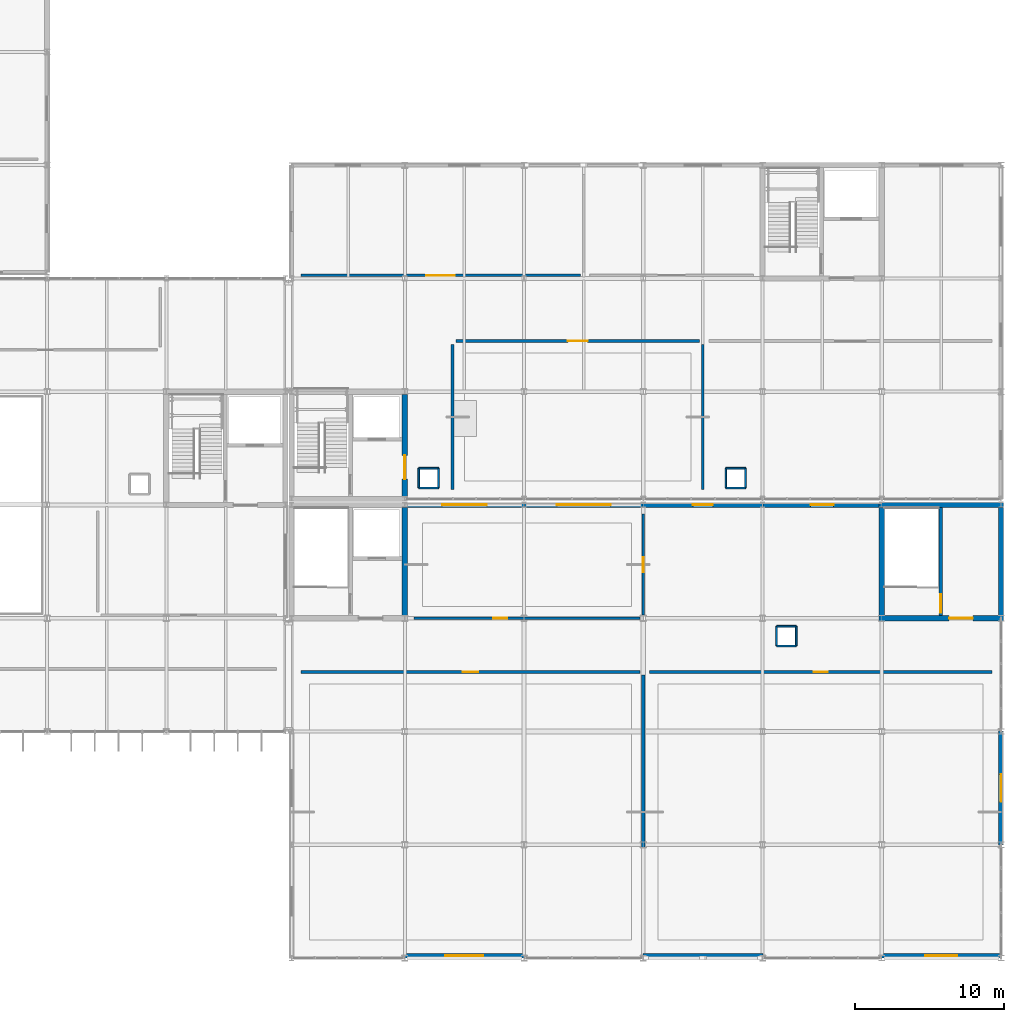
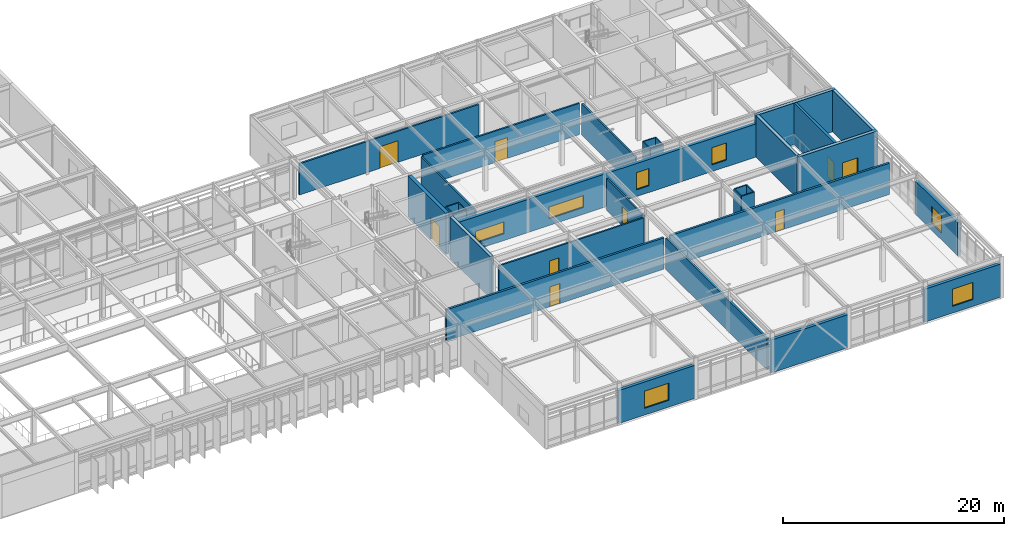
# One storey, part 88 of 104: 36 walls, 9 doors, 7 windows, 16 openings.
"""IFC4 building model written with IfcOpenShell, lengths in metres."""

from ifc_helpers import new_model, si_unit, direction, frame, frame_2d, origin, place, context, subcontext, project, spatial, rectangle, extrude, material, layer, layer_set, type_object, element, fill, save


model = new_model("IFC4")

# Units and contexts
model_context = context("Model", 3, precision=1e-05, world=origin(), true_north=direction((0.0, 1.0)))
body_context = subcontext(model_context, "Body", "Model", "MODEL_VIEW")
ifc_project = project(units=[si_unit("LENGTHUNIT", "METRE"), si_unit("AREAUNIT", "SQUARE_METRE"), si_unit("VOLUMEUNIT", "CUBIC_METRE"), si_unit("PLANEANGLEUNIT", "RADIAN"), si_unit("MASSUNIT", "GRAM", prefix="KILO")], contexts=[model_context])

# Site, building, storey
site_placement = place(None, origin())
site = spatial("IfcSite", under=ifc_project, at=site_placement, CompositionType="ELEMENT")
building_placement = place(site_placement, origin())
building = spatial("IfcBuilding", under=site, at=building_placement, Name="Zulena Civic Courthouse", CompositionType="ELEMENT")
storey_placement = place(building_placement, frame((0.0, 0.0, 15.60009765625)))
storey = spatial("IfcBuildingStorey", under=building, at=storey_placement, Name="L03", CompositionType="ELEMENT", Elevation=15.60009765625)

# Wall, opening, door
ifc_material_1 = material(Name="Concrete C40/50", Category="concrete")
ifc_layer_1 = layer(ifc_material_1, 0.25)
ifc_layer_set_1 = layer_set([ifc_layer_1], Name="Concrete C40/50")
wall_type_1 = type_object("IfcWallType", Name="CoreShearWall_RC250", PredefinedType="SHEAR", material=ifc_layer_set_1)
wall_1_placement = place(storey_placement, frame((167.949951171875, 22.97509765625, 0.0), z_axis=(0.0, 0.0, 1.0), x_axis=(0.0, 1.0, 0.0)))
wall_1 = element("IfcWall", 1, at=wall_1_placement, inside=storey, type_object=wall_type_1, Name="cwall:K1B:L03:DIV", PredefinedType="SHEAR", context=body_context, shape_type="SweptSolid", body=[
    extrude(rectangle(XDim=7.25, YDim=0.25, at=frame_2d((3.625, 0.0))), origin(), (0.0, 0.0, 1.0), 4.58984375),
])
opening_1_placement = place(wall_1_placement, frame((0.179931640625, 0.0, 0.0)))
opening_1 = element("IfcOpeningElement", 2, at=opening_1_placement, cuts=wall_1, Name="Opening ID06", PredefinedType="OPENING", context=body_context, shape_type="SweptSolid", body=[
    extrude(rectangle(XDim=1.25, YDim=2.199951171875, at=frame_2d((0.625, 1.10009765625))), frame((0.0, 0.135009765625, 0.0), z_axis=(0.0, -1.0, 0.0), x_axis=(1.0, 0.0, 0.0)), (0.0, 0.0, 1.0), 0.27001953125),
])
ifc_material_2 = material(Name="Fire-rated galvanised steel ASTM A653 Grade 50", Category="steel")
door_type_1 = type_object("IfcDoorType", Name="IntDoor_Stair_1250x2200", OperationType="NOTDEFINED", PredefinedType="DOOR", material=ifc_material_2)
door_1_placement = place(opening_1_placement, origin())
door_1 = element("IfcDoor", 3, at=door_1_placement, inside=storey, type_object=door_type_1, Name="door:stair:K1B:L03", OperationType="SINGLE_SWING_RIGHT", OverallHeight=2.199951171875, OverallWidth=1.25, PredefinedType="DOOR", context=body_context, shape_type="SweptSolid", body=[
    extrude(rectangle(XDim=1.25, YDim=2.199951171875, at=frame_2d((0.625, 1.10009765625))), frame((0.0, 0.02490234375, 0.0), z_axis=(0.0, -1.0, 0.0), x_axis=(1.0, 0.0, 0.0)), (0.0, 0.0, 1.0), 0.050048828125),
])
fill(opening_1, door_1)

# Wall
ifc_layer_2 = layer(ifc_material_1, 0.35009765625)
ifc_layer_set_2 = layer_set([ifc_layer_2], Name="Concrete C40/50")
wall_type_2 = type_object("IfcWallType", Name="CoreShearWall_RC350", PredefinedType="SHEAR", material=ifc_layer_set_2)
wall_2_placement = place(storey_placement, frame((132.0, 22.97509765625, 0.0), z_axis=(0.0, 0.0, 1.0), x_axis=(0.0, 1.0, 0.0)))
element("IfcWall", 4, at=wall_2_placement, inside=storey, type_object=wall_type_2, Name="cwall:K1A:L03:E", PredefinedType="SHEAR", context=body_context, shape_type="SweptSolid", body=[
    extrude(rectangle(XDim=7.25, YDim=0.35009765625, at=frame_2d((3.625, 0.0))), origin(), (0.0, 0.0, 1.0), 4.58984375),
])

# Wall, opening, door
wall_3_placement = place(storey_placement, frame((163.824951171875, 22.800048828125, 0.0), z_axis=(0.0, 0.0, 1.0), x_axis=(1.0, 0.0, 0.0)))
wall_3 = element("IfcWall", 5, at=wall_3_placement, inside=storey, type_object=wall_type_2, Name="cwall:K1B:L03:S", PredefinedType="SHEAR", context=body_context, shape_type="SweptSolid", body=[
    extrude(rectangle(XDim=8.35009765625, YDim=0.35009765625, at=frame_2d((4.175048828125, 0.0))), origin(), (0.0, 0.0, 1.0), 4.58984375),
])
opening_2_placement = place(wall_3_placement, frame((4.68505859375, 0.0, 0.0)))
opening_2 = element("IfcOpeningElement", 6, at=opening_2_placement, cuts=wall_3, Name="Opening ID04", PredefinedType="OPENING", context=body_context, shape_type="SweptSolid", body=[
    extrude(rectangle(XDim=1.60009765625, YDim=2.35009765625, at=frame_2d((0.800048828125, 1.175048828125))), frame((0.0, 0.18505859375, 0.0), z_axis=(0.0, -1.0, 0.0), x_axis=(1.0, 0.0, 0.0)), (0.0, 0.0, 1.0), 0.3701171875),
])
ifc_material_3 = material(Name="Solid-core acoustic hardwood timber", Category="wood")
door_type_2 = type_object("IfcDoorType", Name="IntDoor_CourtPublic_1600x2350", OperationType="DOUBLE_DOOR_SINGLE_SWING", PredefinedType="DOOR", material=ifc_material_3)
door_2_placement = place(opening_2_placement, origin())
door_2 = element("IfcDoor", 7, at=door_2_placement, inside=storey, type_object=door_type_2, Name="door:corelob:K1B:L03", OperationType="DOUBLE_DOOR_SINGLE_SWING", OverallHeight=2.35009765625, OverallWidth=1.60009765625, PredefinedType="DOOR", context=body_context, shape_type="SweptSolid", body=[
    extrude(rectangle(XDim=1.60009765625, YDim=2.35009765625, at=frame_2d((0.800048828125, 1.175048828125))), frame((0.0, 0.02490234375, 0.0), z_axis=(0.0, -1.0, 0.0), x_axis=(1.0, 0.0, 0.0)), (0.0, 0.0, 1.0), 0.050048828125),
])
fill(opening_2, door_2)

# Walls
wall_4_placement = place(storey_placement, frame((163.824951171875, 30.39990234375, 0.0), z_axis=(0.0, 0.0, 1.0), x_axis=(1.0, 0.0, 0.0)))
element("IfcWall", 8, at=wall_4_placement, inside=storey, type_object=wall_type_2, Name="cwall:K1B:L03:N", PredefinedType="SHEAR", context=body_context, shape_type="SweptSolid", body=[
    extrude(rectangle(XDim=8.35009765625, YDim=0.35009765625, at=frame_2d((4.175048828125, 0.0))), origin(), (0.0, 0.0, 1.0), 4.58984375),
])
for number, where, z_axis, x_axis, name in (
    (9, (164.0, 22.97509765625, 0.0), (0.0, 0.0, 1.0), (0.0, 1.0, 0.0), "cwall:K1B:L03:W"),
    (10, (172.0, 22.97509765625, 0.0), (0.0, 0.0, 1.0), (0.0, 1.0, 0.0), "cwall:K1B:L03:E"),
):
    element("IfcWall", number, at=place(storey_placement, frame(where, z_axis=z_axis, x_axis=x_axis)), inside=storey, type_object=wall_type_2, Name=name, PredefinedType="SHEAR", context=body_context, shape_type="SweptSolid", body=[
        extrude(rectangle(XDim=7.25, YDim=0.35009765625, at=frame_2d((3.625, 0.0))), origin(), (0.0, 0.0, 1.0), 4.58984375),
    ])

# Wall, opening, door
wall_5_placement = place(storey_placement, frame((132.0, 30.97509765625, 0.0), z_axis=(0.0, 0.0, 1.0), x_axis=(0.0, 1.0, 0.0)))
wall_5 = element("IfcWall", 11, at=wall_5_placement, inside=storey, type_object=wall_type_2, Name="cwall:K3A:L03:E", PredefinedType="SHEAR", context=body_context, shape_type="SweptSolid", body=[
    extrude(rectangle(XDim=6.849853515625, YDim=0.35009765625, at=frame_2d((3.4248046875, 0.0))), origin(), (0.0, 0.0, 1.0), 4.544921875),
])
opening_3_placement = place(wall_5_placement, frame((1.14990234375, 0.0, 0.0)))
opening_3 = element("IfcOpeningElement", 12, at=opening_3_placement, cuts=wall_5, Name="Opening ID04", PredefinedType="OPENING", context=body_context, shape_type="SweptSolid", body=[
    extrude(rectangle(XDim=1.60009765625, YDim=2.35009765625, at=frame_2d((0.800048828125, 1.175048828125))), frame((0.0, 0.18505859375, 0.0), z_axis=(0.0, -1.0, 0.0), x_axis=(1.0, 0.0, 0.0)), (0.0, 0.0, 1.0), 0.3701171875),
])
door_3_placement = place(opening_3_placement, origin())
door_3 = element("IfcDoor", 13, at=door_3_placement, inside=storey, type_object=door_type_2, Name="door:corelob:K3A:L03", OperationType="DOUBLE_DOOR_SINGLE_SWING", OverallHeight=2.35009765625, OverallWidth=1.60009765625, PredefinedType="DOOR", context=body_context, shape_type="SweptSolid", body=[
    extrude(rectangle(XDim=1.60009765625, YDim=2.35009765625, at=frame_2d((0.800048828125, 1.175048828125))), frame((0.0, 0.02490234375, 0.0), z_axis=(0.0, -1.0, 0.0), x_axis=(1.0, 0.0, 0.0)), (0.0, 0.0, 1.0), 0.050048828125),
])
fill(opening_3, door_3)

# Wall, opening, window
ifc_material_4 = material(Name="Terracotta-rose architectural precast concrete C40/50", Category="masonry")
ifc_layer_3 = layer(ifc_material_4, 0.320068359375)
ifc_layer_set_3 = layer_set([ifc_layer_3], Name="Terracotta-rose architectural precast concrete C40/50")
wall_type_3 = type_object("IfcWallType", Name="ExtWall_TerraPrecast_320", PredefinedType="STANDARD", material=ifc_layer_set_3)
wall_6_placement = place(storey_placement, frame((131.97998046875, 30.39990234375, 0.0), z_axis=(0.0, 0.0, 1.0), x_axis=(1.0, 0.0, 0.0)))
wall_6 = element("IfcWall", 14, at=wall_6_placement, inside=storey, type_object=wall_type_3, Name="ewall:V1:L03:1:1", PredefinedType="STANDARD", context=body_context, shape_type="SweptSolid", body=[
    extrude(rectangle(XDim=8.0400390625, YDim=0.320068359375, at=frame_2d((4.02001953125, 0.0))), origin(), (0.0, 0.0, 1.0), 3.659912109375),
])
opening_4_placement = place(wall_6_placement, frame((2.52001953125, 0.0, 0.75)))
opening_4 = element("IfcOpeningElement", 15, at=opening_4_placement, cuts=wall_6, Name="Opening WN33", PredefinedType="OPENING", context=body_context, shape_type="SweptSolid", body=[
    extrude(rectangle(XDim=3.0, YDim=1.300048828125, at=frame_2d((1.5, 0.64990234375))), frame((0.0, 0.169921875, 0.0), z_axis=(0.0, -1.0, 0.0), x_axis=(1.0, 0.0, 0.0)), (0.0, 0.0, 1.0), 0.340087890625),
])
ifc_material_5 = material(Name="Double-silver low-E laminated solar-control glass", Category="glass")
window_type_1 = type_object("IfcWindowType", Name="Win_3000x1300", PartitioningType="DOUBLE_PANEL_VERTICAL", PredefinedType="WINDOW", material=ifc_material_5)
window_1_placement = place(opening_4_placement, origin())
window_1 = element("IfcWindow", 16, at=window_1_placement, inside=storey, type_object=window_type_1, Name="win:V1:L03:1:1", OverallHeight=1.300048828125, OverallWidth=3.0, PartitioningType="SINGLE_PANEL", PredefinedType="WINDOW", context=body_context, shape_type="SweptSolid", body=[
    extrude(rectangle(XDim=3.0, YDim=1.300048828125, at=frame_2d((1.5, 0.64990234375))), frame((0.0, 0.030029296875, 0.0), z_axis=(0.0, -1.0, 0.0), x_axis=(1.0, 0.0, 0.0)), (0.0, 0.0, 1.0), 0.06005859375),
])
fill(opening_4, window_1)

wall_7_placement = place(storey_placement, frame((139.97998046875, 30.39990234375, 0.0), z_axis=(0.0, 0.0, 1.0), x_axis=(1.0, 0.0, 0.0)))
wall_7 = element("IfcWall", 17, at=wall_7_placement, inside=storey, type_object=wall_type_3, Name="ewall:V1:L03:1:2", PredefinedType="STANDARD", context=body_context, shape_type="SweptSolid", body=[
    extrude(rectangle(XDim=8.0400390625, YDim=0.320068359375, at=frame_2d((4.02001953125, 0.0))), origin(), (0.0, 0.0, 1.0), 3.659912109375),
])
opening_5_placement = place(wall_7_placement, frame((2.219970703125, 0.0, 0.75)))
opening_5 = element("IfcOpeningElement", 18, at=opening_5_placement, cuts=wall_7, Name="Opening WN34", PredefinedType="OPENING", context=body_context, shape_type="SweptSolid", body=[
    extrude(rectangle(XDim=3.60009765625, YDim=1.300048828125, at=frame_2d((1.800048828125, 0.64990234375))), frame((0.0, 0.169921875, 0.0), z_axis=(0.0, -1.0, 0.0), x_axis=(1.0, 0.0, 0.0)), (0.0, 0.0, 1.0), 0.340087890625),
])
window_type_2 = type_object("IfcWindowType", Name="Win_3600x1300", PartitioningType="DOUBLE_PANEL_VERTICAL", PredefinedType="WINDOW", material=ifc_material_5)
window_2_placement = place(opening_5_placement, origin())
window_2 = element("IfcWindow", 19, at=window_2_placement, inside=storey, type_object=window_type_2, Name="win:V1:L03:1:2", OverallHeight=1.300048828125, OverallWidth=3.60009765625, PartitioningType="SINGLE_PANEL", PredefinedType="WINDOW", context=body_context, shape_type="SweptSolid", body=[
    extrude(rectangle(XDim=3.60009765625, YDim=1.300048828125, at=frame_2d((1.800048828125, 0.64990234375))), frame((0.0, 0.030029296875, 0.0), z_axis=(0.0, -1.0, 0.0), x_axis=(1.0, 0.0, 0.0)), (0.0, 0.0, 1.0), 0.06005859375),
])
fill(opening_5, window_2)

wall_8_placement = place(storey_placement, frame((147.97998046875, 30.39990234375, 0.0), z_axis=(0.0, 0.0, 1.0), x_axis=(1.0, 0.0, 0.0)))
wall_8 = element("IfcWall", 20, at=wall_8_placement, inside=storey, type_object=wall_type_3, Name="ewall:V1:L03:1:3", PredefinedType="STANDARD", context=body_context, shape_type="SweptSolid", body=[
    extrude(rectangle(XDim=8.0400390625, YDim=0.320068359375, at=frame_2d((4.02001953125, 0.0))), origin(), (0.0, 0.0, 1.0), 3.659912109375),
])
opening_6_placement = place(wall_8_placement, frame((3.344970703125, 0.0, 0.75)))
opening_6 = element("IfcOpeningElement", 21, at=opening_6_placement, cuts=wall_8, Name="Opening WN35", PredefinedType="OPENING", context=body_context, shape_type="SweptSolid", body=[
    extrude(rectangle(XDim=1.35009765625, YDim=1.89990234375, at=frame_2d((0.675048828125, 0.949951171875))), frame((0.0, 0.169921875, 0.0), z_axis=(0.0, -1.0, 0.0), x_axis=(1.0, 0.0, 0.0)), (0.0, 0.0, 1.0), 0.340087890625),
])
window_type_3 = type_object("IfcWindowType", Name="Win_1350x1900", PartitioningType="SINGLE_PANEL", PredefinedType="WINDOW", material=ifc_material_5)
window_3_placement = place(opening_6_placement, origin())
window_3 = element("IfcWindow", 22, at=window_3_placement, inside=storey, type_object=window_type_3, Name="win:V1:L03:1:3", OverallHeight=1.89990234375, OverallWidth=1.35009765625, PartitioningType="SINGLE_PANEL", PredefinedType="WINDOW", context=body_context, shape_type="SweptSolid", body=[
    extrude(rectangle(XDim=1.35009765625, YDim=1.89990234375, at=frame_2d((0.675048828125, 0.949951171875))), frame((0.0, 0.030029296875, 0.0), z_axis=(0.0, -1.0, 0.0), x_axis=(1.0, 0.0, 0.0)), (0.0, 0.0, 1.0), 0.06005859375),
])
fill(opening_6, window_3)

wall_9_placement = place(storey_placement, frame((155.97998046875, 30.39990234375, 0.0), z_axis=(0.0, 0.0, 1.0), x_axis=(1.0, 0.0, 0.0)))
wall_9 = element("IfcWall", 23, at=wall_9_placement, inside=storey, type_object=wall_type_3, Name="ewall:V1:L03:1:4", PredefinedType="STANDARD", context=body_context, shape_type="SweptSolid", body=[
    extrude(rectangle(XDim=8.0400390625, YDim=0.320068359375, at=frame_2d((4.02001953125, 0.0))), origin(), (0.0, 0.0, 1.0), 3.659912109375),
])
opening_7_placement = place(wall_9_placement, frame((3.2451171875, 0.0, 0.75)))
opening_7 = element("IfcOpeningElement", 24, at=opening_7_placement, cuts=wall_9, Name="Opening WN36", PredefinedType="OPENING", context=body_context, shape_type="SweptSolid", body=[
    extrude(rectangle(XDim=1.550048828125, YDim=1.89990234375, at=frame_2d((0.77490234375, 0.949951171875))), frame((0.0, 0.169921875, 0.0), z_axis=(0.0, -1.0, 0.0), x_axis=(1.0, 0.0, 0.0)), (0.0, 0.0, 1.0), 0.340087890625),
])
window_type_4 = type_object("IfcWindowType", Name="Win_1550x1900", PartitioningType="SINGLE_PANEL", PredefinedType="WINDOW", material=ifc_material_5)
window_4_placement = place(opening_7_placement, origin())
window_4 = element("IfcWindow", 25, at=window_4_placement, inside=storey, type_object=window_type_4, Name="win:V1:L03:1:4", OverallHeight=1.89990234375, OverallWidth=1.550048828125, PartitioningType="SINGLE_PANEL", PredefinedType="WINDOW", context=body_context, shape_type="SweptSolid", body=[
    extrude(rectangle(XDim=1.550048828125, YDim=1.89990234375, at=frame_2d((0.77490234375, 0.949951171875))), frame((0.0, 0.030029296875, 0.0), z_axis=(0.0, -1.0, 0.0), x_axis=(1.0, 0.0, 0.0)), (0.0, 0.0, 1.0), 0.06005859375),
])
fill(opening_7, window_4)

wall_10_placement = place(storey_placement, frame((172.0, 15.219970703125, 0.0), z_axis=(0.0, 0.0, 1.0), x_axis=(0.0, -1.0, 0.0)))
wall_10 = element("IfcWall", 26, at=wall_10_placement, inside=storey, type_object=wall_type_3, Name="ewall:V1:L03:2:2", PredefinedType="STANDARD", context=body_context, shape_type="SweptSolid", body=[
    extrude(rectangle(XDim=7.639892578125, YDim=0.320068359375, at=frame_2d((3.81982421875, 0.0))), origin(), (0.0, 0.0, 1.0), 3.659912109375),
])
opening_8_placement = place(wall_10_placement, frame((2.89501953125, 0.0, 0.75)))
opening_8 = element("IfcOpeningElement", 27, at=opening_8_placement, cuts=wall_10, Name="Opening WN37", PredefinedType="OPENING", context=body_context, shape_type="SweptSolid", body=[
    extrude(rectangle(XDim=1.85009765625, YDim=1.89990234375, at=frame_2d((0.925048828125, 0.949951171875))), frame((0.0, 0.169921875, 0.0), z_axis=(0.0, -1.0, 0.0), x_axis=(1.0, 0.0, 0.0)), (0.0, 0.0, 1.0), 0.340087890625),
])
window_type_5 = type_object("IfcWindowType", Name="Win_1850x1900", PartitioningType="DOUBLE_PANEL_VERTICAL", PredefinedType="WINDOW", material=ifc_material_5)
window_5_placement = place(opening_8_placement, origin())
window_5 = element("IfcWindow", 28, at=window_5_placement, inside=storey, type_object=window_type_5, Name="win:V1:L03:2:2", OverallHeight=1.89990234375, OverallWidth=1.85009765625, PartitioningType="SINGLE_PANEL", PredefinedType="WINDOW", context=body_context, shape_type="SweptSolid", body=[
    extrude(rectangle(XDim=1.85009765625, YDim=1.89990234375, at=frame_2d((0.925048828125, 0.949951171875))), frame((0.0, 0.030029296875, 0.0), z_axis=(0.0, -1.0, 0.0), x_axis=(1.0, 0.0, 0.0)), (0.0, 0.0, 1.0), 0.06005859375),
])
fill(opening_8, window_5)

wall_11_placement = place(storey_placement, frame((172.02001953125, 0.159912109375, 0.0), z_axis=(0.0, 0.0, 1.0), x_axis=(-1.0, 0.0, 0.0)))
wall_11 = element("IfcWall", 29, at=wall_11_placement, inside=storey, type_object=wall_type_3, Name="ewall:V1:L03:3:0", PredefinedType="STANDARD", context=body_context, shape_type="SweptSolid", body=[
    extrude(rectangle(XDim=8.0400390625, YDim=0.320068359375, at=frame_2d((4.02001953125, 0.0))), origin(), (0.0, 0.0, 1.0), 3.659912109375),
])
opening_9_placement = place(wall_11_placement, frame((2.945068359375, 0.0, 0.75)))
opening_9 = element("IfcOpeningElement", 30, at=opening_9_placement, cuts=wall_11, Name="Opening WN38", PredefinedType="OPENING", context=body_context, shape_type="SweptSolid", body=[
    extrude(rectangle(XDim=2.14990234375, YDim=1.89990234375, at=frame_2d((1.074951171875, 0.949951171875))), frame((0.0, 0.169921875, 0.0), z_axis=(0.0, -1.0, 0.0), x_axis=(1.0, 0.0, 0.0)), (0.0, 0.0, 1.0), 0.340087890625),
])
window_type_6 = type_object("IfcWindowType", Name="Win_2150x1900", PartitioningType="DOUBLE_PANEL_VERTICAL", PredefinedType="WINDOW", material=ifc_material_5)
window_6_placement = place(opening_9_placement, origin())
window_6 = element("IfcWindow", 31, at=window_6_placement, inside=storey, type_object=window_type_6, Name="win:V1:L03:3:0", OverallHeight=1.89990234375, OverallWidth=2.14990234375, PartitioningType="SINGLE_PANEL", PredefinedType="WINDOW", context=body_context, shape_type="SweptSolid", body=[
    extrude(rectangle(XDim=2.14990234375, YDim=1.89990234375, at=frame_2d((1.074951171875, 0.949951171875))), frame((0.0, 0.030029296875, 0.0), z_axis=(0.0, -1.0, 0.0), x_axis=(1.0, 0.0, 0.0)), (0.0, 0.0, 1.0), 0.06005859375),
])
fill(opening_9, window_6)

# Wall
wall_12_placement = place(storey_placement, frame((156.02001953125, 0.159912109375, 0.0), z_axis=(0.0, 0.0, 1.0), x_axis=(-1.0, 0.0, 0.0)))
element("IfcWall", 32, at=wall_12_placement, inside=storey, type_object=wall_type_3, Name="ewall:V1:L03:3:2", PredefinedType="STANDARD", context=body_context, shape_type="SweptSolid", body=[
    extrude(rectangle(XDim=8.0400390625, YDim=0.320068359375, at=frame_2d((4.02001953125, 0.0))), origin(), (0.0, 0.0, 1.0), 3.659912109375),
])

# Wall, opening, window
wall_13_placement = place(storey_placement, frame((140.02001953125, 0.159912109375, 0.0), z_axis=(0.0, 0.0, 1.0), x_axis=(-1.0, 0.0, 0.0)))
wall_13 = element("IfcWall", 33, at=wall_13_placement, inside=storey, type_object=wall_type_3, Name="ewall:V1:L03:3:4", PredefinedType="STANDARD", context=body_context, shape_type="SweptSolid", body=[
    extrude(rectangle(XDim=8.0400390625, YDim=0.320068359375, at=frame_2d((4.02001953125, 0.0))), origin(), (0.0, 0.0, 1.0), 3.659912109375),
])
opening_10_placement = place(wall_13_placement, frame((2.7451171875, 0.0, 0.75)))
opening_10 = element("IfcOpeningElement", 34, at=opening_10_placement, cuts=wall_13, Name="Opening WN39", PredefinedType="OPENING", context=body_context, shape_type="SweptSolid", body=[
    extrude(rectangle(XDim=2.550048828125, YDim=1.89990234375, at=frame_2d((1.27490234375, 0.949951171875))), frame((0.0, 0.169921875, 0.0), z_axis=(0.0, -1.0, 0.0), x_axis=(1.0, 0.0, 0.0)), (0.0, 0.0, 1.0), 0.340087890625),
])
window_type_7 = type_object("IfcWindowType", Name="Win_2550x1900", PartitioningType="DOUBLE_PANEL_VERTICAL", PredefinedType="WINDOW", material=ifc_material_5)
window_7_placement = place(opening_10_placement, origin())
window_7 = element("IfcWindow", 35, at=window_7_placement, inside=storey, type_object=window_type_7, Name="win:V1:L03:3:4", OverallHeight=1.89990234375, OverallWidth=2.550048828125, PartitioningType="SINGLE_PANEL", PredefinedType="WINDOW", context=body_context, shape_type="SweptSolid", body=[
    extrude(rectangle(XDim=2.550048828125, YDim=1.89990234375, at=frame_2d((1.27490234375, 0.949951171875))), frame((0.0, 0.030029296875, 0.0), z_axis=(0.0, -1.0, 0.0), x_axis=(1.0, 0.0, 0.0)), (0.0, 0.0, 1.0), 0.06005859375),
])
fill(opening_10, window_7)

# Wall, opening, door
ifc_material_6 = material(Name="Acoustic fire-rated gypsum board assembly", Category="masonry")
ifc_layer_4 = layer(ifc_material_6, 0.177978515625)
ifc_layer_set_4 = layer_set([ifc_layer_4], Name="Acoustic fire-rated gypsum board assembly")
wall_type_4 = type_object("IfcWallType", Name="PartWall_Corridor_178", PredefinedType="PARTITIONING", material=ifc_layer_set_4)
wall_14_placement = place(storey_placement, frame((135.419921875, 41.39990234375, 0.0), z_axis=(0.0, 0.0, 1.0), x_axis=(1.0, 0.0, 0.0)))
wall_14 = element("IfcWall", 36, at=wall_14_placement, inside=storey, type_object=wall_type_4, Name="pwall:L03:274:0", PredefinedType="PARTITIONING", context=body_context, shape_type="SweptSolid", body=[
    extrude(rectangle(XDim=16.360107421875, YDim=0.177978515625, at=frame_2d((8.18017578125, 0.0))), origin(), (0.0, 0.0, 1.0), 3.449951171875),
])
opening_11_placement = place(wall_14_placement, frame((7.52001953125, 0.0, 0.0)))
opening_11 = element("IfcOpeningElement", 37, at=opening_11_placement, cuts=wall_14, Name="Opening ID30", PredefinedType="OPENING", context=body_context, shape_type="SweptSolid", body=[
    extrude(rectangle(XDim=1.320068359375, YDim=2.300048828125, at=frame_2d((0.66015625, 1.14990234375))), frame((0.0, 0.098876953125, 0.0), z_axis=(0.0, -1.0, 0.0), x_axis=(1.0, 0.0, 0.0)), (0.0, 0.0, 1.0), 0.197998046875),
])
door_type_3 = type_object("IfcDoorType", Name="IntDoor_Conference_1320x2300", OperationType="NOTDEFINED", PredefinedType="DOOR", material=ifc_material_3)
door_4_placement = place(opening_11_placement, origin())
door_4 = element("IfcDoor", 38, at=door_4_placement, inside=storey, type_object=door_type_3, Name="door:rm:L03:274", OperationType="SINGLE_SWING_LEFT", OverallHeight=2.300048828125, OverallWidth=1.320068359375, PredefinedType="DOOR", context=body_context, shape_type="SweptSolid", body=[
    extrude(rectangle(XDim=1.320068359375, YDim=2.300048828125, at=frame_2d((0.66015625, 1.14990234375))), frame((0.0, 0.02490234375, 0.0), z_axis=(0.0, -1.0, 0.0), x_axis=(1.0, 0.0, 0.0)), (0.0, 0.0, 1.0), 0.050048828125),
])
fill(opening_11, door_4)

# Walls
for number, where, z_axis, x_axis, name in (
    (39, (152.0, 31.419921875, 0.0), (0.0, 0.0, 1.0), (0.0, 1.0, 0.0), "pwall:L03:274:1"),
    (40, (135.199951171875, 31.419921875, 0.0), (0.0, 0.0, 1.0), (0.0, 1.0, 0.0), "pwall:L03:274:2"),
):
    element("IfcWall", number, at=place(storey_placement, frame(where, z_axis=z_axis, x_axis=x_axis)), inside=storey, type_object=wall_type_4, Name=name, PredefinedType="PARTITIONING", context=body_context, shape_type="SweptSolid", body=[
        extrude(rectangle(XDim=9.760009765625, YDim=0.177978515625, at=frame_2d((4.8798828125, 0.0))), origin(), (0.0, 0.0, 1.0), 3.449951171875),
    ])

# Wall, opening, door
wall_15_placement = place(storey_placement, frame((125.02001953125, 45.800048828125, 0.0), z_axis=(0.0, 0.0, 1.0), x_axis=(1.0, 0.0, 0.0)))
wall_15 = element("IfcWall", 41, at=wall_15_placement, inside=storey, type_object=wall_type_4, Name="pwall:L03:276:0", PredefinedType="PARTITIONING", context=body_context, shape_type="SweptSolid", body=[
    extrude(rectangle(XDim=18.760009765625, YDim=0.177978515625, at=frame_2d((9.3798828125, 0.0))), origin(), (0.0, 0.0, 1.0), 3.449951171875),
])
opening_12_placement = place(wall_15_placement, frame((8.429931640625, 0.0, 0.0)))
opening_12 = element("IfcOpeningElement", 42, at=opening_12_placement, cuts=wall_15, Name="Opening ID02", PredefinedType="OPENING", context=body_context, shape_type="SweptSolid", body=[
    extrude(rectangle(XDim=1.89990234375, YDim=2.39990234375, at=frame_2d((0.949951171875, 1.199951171875))), frame((0.0, 0.098876953125, 0.0), z_axis=(0.0, -1.0, 0.0), x_axis=(1.0, 0.0, 0.0)), (0.0, 0.0, 1.0), 0.197998046875),
])
door_type_4 = type_object("IfcDoorType", Name="IntDoor_CourtPublic_1900x2400", OperationType="DOUBLE_DOOR_SINGLE_SWING", PredefinedType="DOOR", material=ifc_material_3)
door_5_placement = place(opening_12_placement, origin())
door_5 = element("IfcDoor", 43, at=door_5_placement, inside=storey, type_object=door_type_4, Name="door:rm:L03:276", OperationType="DOUBLE_DOOR_SINGLE_SWING", OverallHeight=2.39990234375, OverallWidth=1.89990234375, PredefinedType="DOOR", context=body_context, shape_type="SweptSolid", body=[
    extrude(rectangle(XDim=1.89990234375, YDim=2.39990234375, at=frame_2d((0.949951171875, 1.199951171875))), frame((0.0, 0.02490234375, 0.0), z_axis=(0.0, -1.0, 0.0), x_axis=(1.0, 0.0, 0.0)), (0.0, 0.0, 1.0), 0.050048828125),
])
fill(opening_12, door_5)

ifc_layer_5 = layer(ifc_material_6, 0.215087890625)
ifc_layer_set_5 = layer_set([ifc_layer_5], Name="Acoustic fire-rated gypsum board assembly")
wall_type_5 = type_object("IfcWallType", Name="PartWall_CourtAcoustic_215", PredefinedType="PARTITIONING", material=ifc_layer_set_5)
wall_16_placement = place(storey_placement, frame((125.02001953125, 19.199951171875, 0.0), z_axis=(0.0, 0.0, 1.0), x_axis=(1.0, 0.0, 0.0)))
wall_16 = element("IfcWall", 44, at=wall_16_placement, inside=storey, type_object=wall_type_5, Name="pwall:L03:226:0", PredefinedType="PARTITIONING", context=body_context, shape_type="SweptSolid", body=[
    extrude(rectangle(XDim=22.760009765625, YDim=0.215087890625, at=frame_2d((11.3798828125, 0.0))), origin(), (0.0, 0.0, 1.0), 3.449951171875),
])
opening_13_placement = place(wall_16_placement, frame((10.860107421875, 0.0, 0.0)))
opening_13 = element("IfcOpeningElement", 45, at=opening_13_placement, cuts=wall_16, Name="Opening ID21", PredefinedType="OPENING", context=body_context, shape_type="SweptSolid", body=[
    extrude(rectangle(XDim=1.0400390625, YDim=2.199951171875, at=frame_2d((0.52001953125, 1.10009765625))), frame((0.0, 0.117431640625, 0.0), z_axis=(0.0, -1.0, 0.0), x_axis=(1.0, 0.0, 0.0)), (0.0, 0.0, 1.0), 0.235107421875),
])
door_type_5 = type_object("IfcDoorType", Name="IntDoor_Mediation_1040x2200", OperationType="NOTDEFINED", PredefinedType="DOOR", material=ifc_material_3)
door_6_placement = place(opening_13_placement, origin())
door_6 = element("IfcDoor", 46, at=door_6_placement, inside=storey, type_object=door_type_5, Name="door:rm:L03:226", OperationType="SINGLE_SWING_RIGHT", OverallHeight=2.199951171875, OverallWidth=1.0400390625, PredefinedType="DOOR", context=body_context, shape_type="SweptSolid", body=[
    extrude(rectangle(XDim=1.0400390625, YDim=2.199951171875, at=frame_2d((0.52001953125, 1.10009765625))), frame((0.0, 0.02490234375, 0.0), z_axis=(0.0, -1.0, 0.0), x_axis=(1.0, 0.0, 0.0)), (0.0, 0.0, 1.0), 0.050048828125),
])
fill(opening_13, door_6)

# Wall
wall_17_placement = place(storey_placement, frame((148.0, 0.6201171875, 0.0), z_axis=(0.0, 0.0, 1.0), x_axis=(0.0, 1.0, 0.0)))
element("IfcWall", 47, at=wall_17_placement, inside=storey, type_object=wall_type_5, Name="pwall:L03:226:1", PredefinedType="PARTITIONING", context=body_context, shape_type="SweptSolid", body=[
    extrude(rectangle(XDim=18.35986328125, YDim=0.215087890625, at=frame_2d((9.179931640625, 0.0))), origin(), (0.0, 0.0, 1.0), 3.449951171875),
])

# Wall, opening, door
wall_18_placement = place(storey_placement, frame((148.419921875, 19.199951171875, 0.0), z_axis=(0.0, 0.0, 1.0), x_axis=(1.0, 0.0, 0.0)))
wall_18 = element("IfcWall", 48, at=wall_18_placement, inside=storey, type_object=wall_type_5, Name="pwall:L03:227:0", PredefinedType="PARTITIONING", context=body_context, shape_type="SweptSolid", body=[
    extrude(rectangle(XDim=22.9599609375, YDim=0.215087890625, at=frame_2d((11.47998046875, 0.0))), origin(), (0.0, 0.0, 1.0), 3.449951171875),
])
opening_14_placement = place(wall_18_placement, frame((11.010009765625, 0.0, 0.0)))
opening_14 = element("IfcOpeningElement", 49, at=opening_14_placement, cuts=wall_18, Name="Opening ID22", PredefinedType="OPENING", context=body_context, shape_type="SweptSolid", body=[
    extrude(rectangle(XDim=0.93994140625, YDim=2.199951171875, at=frame_2d((0.469970703125, 1.10009765625))), frame((0.0, 0.117431640625, 0.0), z_axis=(0.0, -1.0, 0.0), x_axis=(1.0, 0.0, 0.0)), (0.0, 0.0, 1.0), 0.235107421875),
])
door_type_6 = type_object("IfcDoorType", Name="IntDoor_Witness_940x2200", OperationType="NOTDEFINED", PredefinedType="DOOR", material=ifc_material_3)
door_7_placement = place(opening_14_placement, origin())
door_7 = element("IfcDoor", 50, at=door_7_placement, inside=storey, type_object=door_type_6, Name="door:rm:L03:227", OperationType="SINGLE_SWING_LEFT", OverallHeight=2.199951171875, OverallWidth=0.93994140625, PredefinedType="DOOR", context=body_context, shape_type="SweptSolid", body=[
    extrude(rectangle(XDim=0.93994140625, YDim=2.199951171875, at=frame_2d((0.469970703125, 1.10009765625))), frame((0.0, 0.02490234375, 0.0), z_axis=(0.0, -1.0, 0.0), x_axis=(1.0, 0.0, 0.0)), (0.0, 0.0, 1.0), 0.050048828125),
])
fill(opening_14, door_7)

ifc_layer_6 = layer(ifc_material_6, 0.162109375)
ifc_layer_set_6 = layer_set([ifc_layer_6], Name="Acoustic fire-rated gypsum board assembly")
wall_type_6 = type_object("IfcWallType", Name="PartWall_Jury_162", PredefinedType="PARTITIONING", material=ifc_layer_set_6)
wall_19_placement = place(storey_placement, frame((132.6201171875, 22.800048828125, 0.0), z_axis=(0.0, 0.0, 1.0), x_axis=(1.0, 0.0, 0.0)))
wall_19 = element("IfcWall", 51, at=wall_19_placement, inside=storey, type_object=wall_type_6, Name="pwall:L03:228:0", PredefinedType="PARTITIONING", context=body_context, shape_type="SweptSolid", body=[
    extrude(rectangle(XDim=15.159912109375, YDim=0.162109375, at=frame_2d((7.580078125, 0.0))), origin(), (0.0, 0.0, 1.0), 3.449951171875),
])
opening_15_placement = place(wall_19_placement, frame((5.304931640625, 0.0, 0.0)))
opening_15 = element("IfcOpeningElement", 52, at=opening_15_placement, cuts=wall_19, Name="Opening ID23", PredefinedType="OPENING", context=body_context, shape_type="SweptSolid", body=[
    extrude(rectangle(XDim=0.949951171875, YDim=2.14990234375, at=frame_2d((0.47509765625, 1.074951171875))), frame((0.0, 0.091064453125, 0.0), z_axis=(0.0, -1.0, 0.0), x_axis=(1.0, 0.0, 0.0)), (0.0, 0.0, 1.0), 0.18212890625),
])
door_type_7 = type_object("IfcDoorType", Name="IntDoor_Restroom_950x2150", OperationType="NOTDEFINED", PredefinedType="DOOR", material=ifc_material_3)
door_8_placement = place(opening_15_placement, origin())
door_8 = element("IfcDoor", 53, at=door_8_placement, inside=storey, type_object=door_type_7, Name="door:rm:L03:228", OperationType="SINGLE_SWING_RIGHT", OverallHeight=2.14990234375, OverallWidth=0.949951171875, PredefinedType="DOOR", context=body_context, shape_type="SweptSolid", body=[
    extrude(rectangle(XDim=0.949951171875, YDim=2.14990234375, at=frame_2d((0.47509765625, 1.074951171875))), frame((0.0, 0.02490234375, 0.0), z_axis=(0.0, -1.0, 0.0), x_axis=(1.0, 0.0, 0.0)), (0.0, 0.0, 1.0), 0.050048828125),
])
fill(opening_15, door_8)

wall_20_placement = place(storey_placement, frame((148.0, 23.02001953125, 0.0), z_axis=(0.0, 0.0, 1.0), x_axis=(0.0, 1.0, 0.0)))
wall_20 = element("IfcWall", 54, at=wall_20_placement, inside=storey, type_object=wall_type_6, Name="pwall:L03:228:1", PredefinedType="PARTITIONING", context=body_context, shape_type="SweptSolid", body=[
    extrude(rectangle(XDim=6.760009765625, YDim=0.162109375, at=frame_2d((3.3798828125, 0.0))), origin(), (0.0, 0.0, 1.0), 3.449951171875),
])
opening_16_placement = place(wall_20_placement, frame((2.8798828125, 0.0, 0.0)))
opening_16 = element("IfcOpeningElement", 55, at=opening_16_placement, cuts=wall_20, Name="Opening ID24", PredefinedType="OPENING", context=body_context, shape_type="SweptSolid", body=[
    extrude(rectangle(XDim=1.0, YDim=2.14990234375, at=frame_2d((0.5, 1.074951171875))), frame((0.0, 0.091064453125, 0.0), z_axis=(0.0, -1.0, 0.0), x_axis=(1.0, 0.0, 0.0)), (0.0, 0.0, 1.0), 0.18212890625),
])
door_type_8 = type_object("IfcDoorType", Name="IntDoor_AccWC_1000x2150", OperationType="NOTDEFINED", PredefinedType="DOOR", material=ifc_material_3)
door_9_placement = place(opening_16_placement, origin())
door_9 = element("IfcDoor", 56, at=door_9_placement, inside=storey, type_object=door_type_8, Name="door:rm:L03:229", OperationType="SINGLE_SWING_LEFT", OverallHeight=2.14990234375, OverallWidth=1.0, PredefinedType="DOOR", context=body_context, shape_type="SweptSolid", body=[
    extrude(rectangle(XDim=1.0, YDim=2.14990234375, at=frame_2d((0.5, 1.074951171875))), frame((0.0, 0.02490234375, 0.0), z_axis=(0.0, -1.0, 0.0), x_axis=(1.0, 0.0, 0.0)), (0.0, 0.0, 1.0), 0.050048828125),
])
fill(opening_16, door_9)

# Walls
ifc_material_7 = material(Name="Insulated blockwork masonry ASTM C90", Category="masonry")
ifc_layer_7 = layer(ifc_material_7, 0.114990234375)
ifc_layer_set_7 = layer_set([ifc_layer_7], Name="Insulated blockwork masonry ASTM C90")
wall_type_7 = type_object("IfcWallType", Name="PartWall_Riser_115", PredefinedType="PARTITIONING", material=ifc_layer_set_7)
for number, where, z_axis, x_axis, name in (
    (57, (156.93994140625, 20.93994140625, 0.0), (0.0, 0.0, 1.0), (1.0, 0.0, 0.0), "riser:RS-V1E:L03:0"),
    (58, (158.260009765625, 20.93994140625, 0.0), (0.0, 0.0, 1.0), (0.0, 1.0, 0.0), "riser:RS-V1E:L03:1"),
    (59, (158.260009765625, 22.260009765625, 0.0), (0.0, 0.0, 1.0), (-1.0, 0.0, 0.0), "riser:RS-V1E:L03:2"),
    (60, (156.93994140625, 22.260009765625, 0.0), (0.0, 0.0, 1.0), (0.0, -1.0, 0.0), "riser:RS-V1E:L03:3"),
    (61, (132.93994140625, 31.5400390625, 0.0), (0.0, 0.0, 1.0), (1.0, 0.0, 0.0), "riser:RS-V3W:L03:0"),
    (62, (134.260009765625, 31.5400390625, 0.0), (0.0, 0.0, 1.0), (0.0, 1.0, 0.0), "riser:RS-V3W:L03:1"),
    (63, (134.260009765625, 32.860107421875, 0.0), (0.0, 0.0, 1.0), (-1.0, 0.0, 0.0), "riser:RS-V3W:L03:2"),
    (64, (132.93994140625, 32.860107421875, 0.0), (0.0, 0.0, 1.0), (0.0, -1.0, 0.0), "riser:RS-V3W:L03:3"),
    (65, (153.5400390625, 31.5400390625, 0.0), (0.0, 0.0, 1.0), (1.0, 0.0, 0.0), "riser:RS-V3E:L03:0"),
    (66, (154.860107421875, 31.5400390625, 0.0), (0.0, 0.0, 1.0), (0.0, 1.0, 0.0), "riser:RS-V3E:L03:1"),
    (67, (154.860107421875, 32.860107421875, 0.0), (0.0, 0.0, 1.0), (-1.0, 0.0, 0.0), "riser:RS-V3E:L03:2"),
    (68, (153.5400390625, 32.860107421875, 0.0), (0.0, 0.0, 1.0), (0.0, -1.0, 0.0), "riser:RS-V3E:L03:3"),
):
    element("IfcWall", number, at=place(storey_placement, frame(where, z_axis=z_axis, x_axis=x_axis)), inside=storey, type_object=wall_type_7, Name=name, PredefinedType="PARTITIONING", context=body_context, shape_type="SweptSolid", body=[
        extrude(rectangle(XDim=1.320068359375, YDim=0.114990234375, at=frame_2d((0.66015625, 0.0))), origin(), (0.0, 0.0, 1.0), 3.75),
    ])

save(model, "model.ifc")
